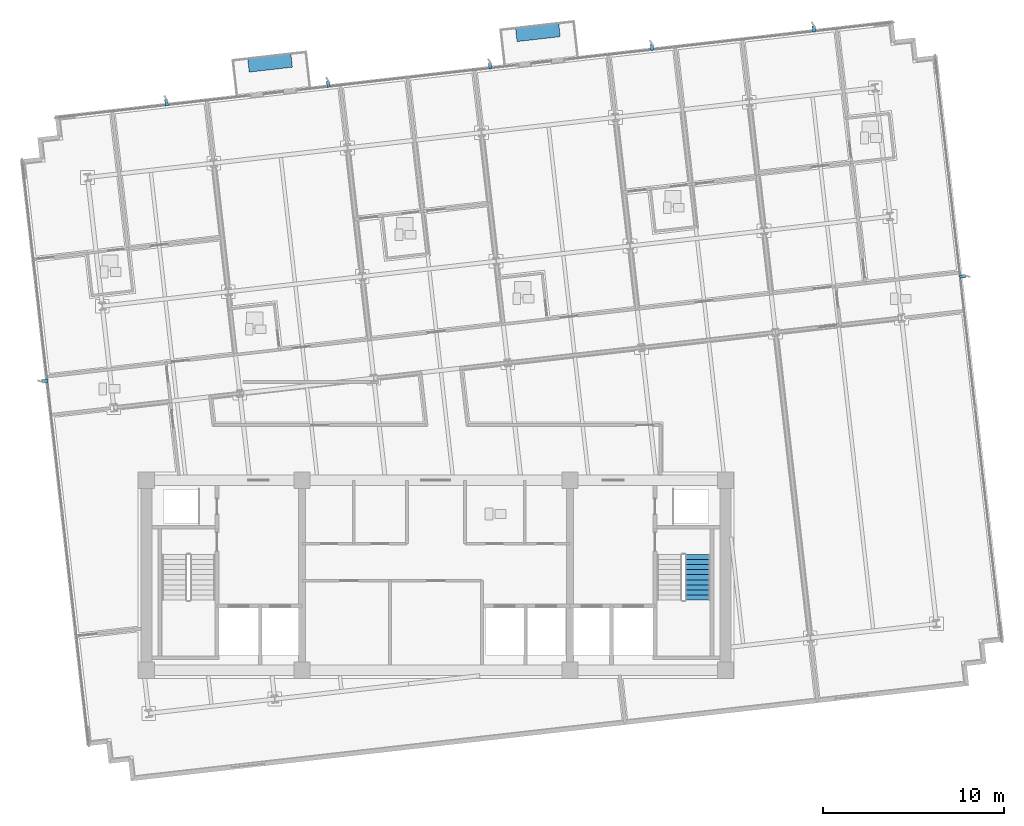
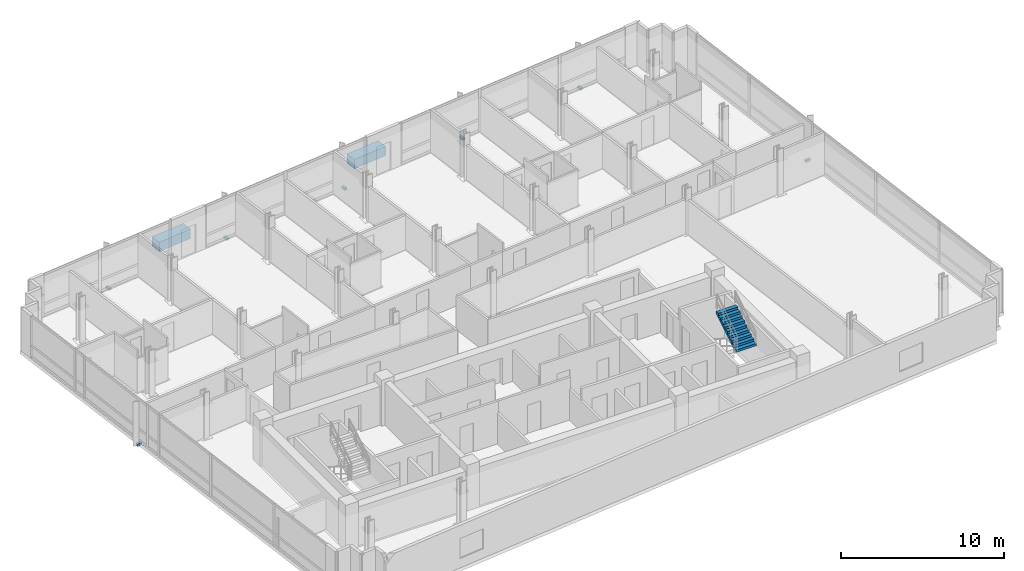
# One storey, part 12 of 17: 9 discrete accessories, 1 stair flight, 1 element without a shape of its own.
"""IFC4 building model written with IfcOpenShell, lengths in metres."""

import ifcopenshell
import ifcopenshell.guid

model = None  # the IFC model being written
_history = None  # IfcOwnerHistory: only IFC2X3 demands one
_inside = {}  # id of a spatial element -> (the spatial element, [elements in it])
_under = {}  # id of a project, library or spatial element -> (it, [spatial elements below it])
_declared = {}  # id of a project -> (the project, [libraries it declares])
_typed = {}  # id of a type object -> (the type object, [elements of that type])
_made_of = {}  # id of a material, layer set ... -> (it, [elements and type objects made of it])


def new_model(schema):
    """Start an empty IFC model of exactly this schema.

    Asked for "IFC4X3", IfcOpenShell would pick the latest addendum, in which some entities
    have other attributes; the version numbers below select the first issue.
    IFC2X3 requires an IfcOwnerHistory on every rooted entity: one is made here for all.
    """
    global model, _history
    if schema == "IFC4X3":
        model = ifcopenshell.file(schema_version=(4, 3, 0, 0))
    else:
        model = ifcopenshell.file(schema=schema)
    _inside.clear()
    _under.clear()
    _declared.clear()
    _typed.clear()
    _made_of.clear()
    _history = None
    if model.schema == "IFC2X3":
        org = make("IfcOrganization", Name="unknown")
        user = make(
            "IfcPersonAndOrganization",
            ThePerson=make("IfcPerson", FamilyName="unknown"),
            TheOrganization=org,
        )
        app = make(
            "IfcApplication",
            ApplicationDeveloper=org,
            Version="unknown",
            ApplicationFullName="unknown",
            ApplicationIdentifier="unknown",
        )
        _history = make(
            "IfcOwnerHistory",
            OwningUser=user,
            OwningApplication=app,
            ChangeAction="ADDED",
            CreationDate=0,
        )
    return model


def make(cls, **values):
    """One entity of the class cls with the attributes given. An attribute that is None is left unset."""
    return model.create_entity(
        cls, **{name: value for name, value in values.items() if value is not None}
    )


def rooted(cls, **values):
    """An entity with a GlobalId (a new one), such as an element, a storey or a relation."""
    return make(cls, GlobalId=ifcopenshell.guid.new(), OwnerHistory=_history, **values)


def si_unit(unit_type, name, prefix=None):
    """IfcSIUnit, for example si_unit("LENGTHUNIT", "METRE", prefix="MILLI")."""
    return make("IfcSIUnit", UnitType=unit_type, Prefix=prefix, Name=name)


def assignment(units):
    """IfcUnitAssignment: the units of a project."""
    return None if units is None else make("IfcUnitAssignment", Units=units)


def point(xyz):
    """IfcCartesianPoint."""
    return None if xyz is None else make("IfcCartesianPoint", Coordinates=xyz)


def direction(xyz):
    """IfcDirection."""
    return None if xyz is None else make("IfcDirection", DirectionRatios=xyz)


def frame(location, z_axis=None, x_axis=None):
    """IfcAxis2Placement3D, a coordinate frame: its origin and axes. An axis left out is left unset."""
    return make(
        "IfcAxis2Placement3D",
        Location=point(location),
        Axis=direction(z_axis),
        RefDirection=direction(x_axis),
    )


def frame_2d(location, x_axis=None):
    """IfcAxis2Placement2D, a coordinate frame in the plane: its origin and x axis."""
    return make(
        "IfcAxis2Placement2D", Location=point(location), RefDirection=direction(x_axis)
    )


def origin():
    """The frame at (0, 0, 0) with its axes left unset."""
    return frame((0.0, 0.0, 0.0))


def origin_2d():
    """The frame at (0, 0) in the plane with its x axis left unset."""
    return frame_2d((0.0, 0.0))


def place(relative_to, where):
    """IfcLocalPlacement: puts the frame where relative to a parent placement (None: the world)."""
    return make(
        "IfcLocalPlacement", PlacementRelTo=relative_to, RelativePlacement=where
    )


def context(
    kind, dimensions, precision=None, world=None, true_north=None, identifier=None
):
    """IfcGeometricRepresentationContext, for example the 3D "Model" context."""
    return make(
        "IfcGeometricRepresentationContext",
        ContextIdentifier=identifier,
        ContextType=kind,
        CoordinateSpaceDimension=dimensions,
        Precision=precision,
        WorldCoordinateSystem=world,
        TrueNorth=true_north,
    )


def subcontext(parent, identifier, kind, view, scale=None):
    """IfcGeometricRepresentationSubContext, for example "Body" below "Model"."""
    return make(
        "IfcGeometricRepresentationSubContext",
        ContextIdentifier=identifier,
        ContextType=kind,
        ParentContext=parent,
        TargetScale=scale,
        TargetView=view,
    )


def project(units=None, contexts=None):
    """IfcProject with its units and contexts."""
    return rooted(
        "IfcProject",
        Name="project",
        RepresentationContexts=contexts,
        UnitsInContext=assignment(units),
    )


def spatial(cls, under=None, at=None, **own):
    """A site, building, storey or space (cls), placed at a placement, below another one or the project."""
    s = rooted(cls, ObjectPlacement=at, **own)
    if under is not None:
        _under.setdefault(under.id(), (under, []))[1].append(s)
    return s


def polyline(points):
    """IfcPolyline through the points."""
    return make("IfcPolyline", Points=[point(p) for p in points])


def profile(cls, at=None, kind="AREA", **sizes):
    """A parametric profile (cls). Its sizes go by their IFC names, for example OverallWidth=200.0."""
    return make(cls, ProfileType=kind, Position=at, **sizes)


def rectangle(**sizes):
    """IfcRectangleProfileDef."""
    return profile("IfcRectangleProfileDef", **sizes)


def outline(outer, holes=None, kind="AREA"):
    """IfcArbitraryClosedProfileDef: a profile drawn as a closed curve; with holes, ...WithVoids."""
    if holes is None:
        return make("IfcArbitraryClosedProfileDef", ProfileType=kind, OuterCurve=outer)
    return make(
        "IfcArbitraryProfileDefWithVoids",
        ProfileType=kind,
        OuterCurve=outer,
        InnerCurves=holes,
    )


def extrude(swept, where, along, depth):
    """IfcExtrudedAreaSolid: the profile swept, set in the frame where, extruded along a direction by depth."""
    return make(
        "IfcExtrudedAreaSolid",
        SweptArea=swept,
        Position=where,
        ExtrudedDirection=direction(along),
        Depth=depth,
    )


def shape(context_of_items, identifier, shape_type, items):
    """IfcShapeRepresentation: the items that make up one representation, for example the "Body"."""
    return make(
        "IfcShapeRepresentation",
        ContextOfItems=context_of_items,
        RepresentationIdentifier=identifier,
        RepresentationType=shape_type,
        Items=items,
    )


def material(Name=None, Category=None):
    """IfcMaterial."""
    return make("IfcMaterial", Name=Name, Category=Category)


def made_of(thing, what):
    """Note that an element or type object is made of a material, layer set ...; save() writes the relation."""
    if what is not None:
        _made_of.setdefault(what.id(), (what, []))[1].append(thing)
    return thing


def type_object(cls, material=None, **own):
    """A type object (cls), such as IfcWallType, which elements share."""
    return made_of(rooted(cls, **own), material)


def element(
    cls,
    number,
    at=None,
    inside=None,
    cuts=None,
    type_object=None,
    material=None,
    context=None,
    identifier="Body",
    shape_type=None,
    held_by="IfcProductDefinitionShape",
    body=None,
    shapes=None,
    **own,
):
    """One element of the class cls, such as IfcWall. Its Tag is "e" and its number.

    at: its placement. inside: the storey or other place that contains it. cuts: it is an
    opening in that element (IfcRelVoidsElement). A single representation is given by context,
    identifier, shape_type and body (its items); several are given by shapes. held_by: the class
    of the entity that holds the representations. save() writes the other relations.
    """
    e = rooted(cls, Tag="e%d" % number, ObjectPlacement=at, **own)
    if body is not None:
        shapes = [shape(context, identifier, shape_type, body)]
    if shapes is not None:
        e.Representation = make(held_by, Representations=shapes)
    if inside is not None:
        _inside.setdefault(inside.id(), (inside, []))[1].append(e)
    if cuts is not None:
        rooted(
            "IfcRelVoidsElement", RelatingBuildingElement=cuts, RelatedOpeningElement=e
        )
    if type_object is not None:
        _typed.setdefault(type_object.id(), (type_object, []))[1].append(e)
    return made_of(e, material)


def aggregate(whole, parts):
    """IfcRelAggregates: a whole, such as a stair, and the parts it consists of."""
    return rooted("IfcRelAggregates", RelatingObject=whole, RelatedObjects=parts)


def save(model, path):
    """Write the relations noted so far, then the file.

    IfcRelAggregates (storeys below a building ...), IfcRelContainedInSpatialStructure (elements
    in a storey), IfcRelDefinesByType, IfcRelAssociatesMaterial and IfcRelDeclares: one each for
    every whole, place, type object, material and project.
    """
    for whole, parts in _under.values():
        aggregate(whole, parts)
    for where, things in _inside.values():
        rooted(
            "IfcRelContainedInSpatialStructure",
            RelatedElements=things,
            RelatingStructure=where,
        )
    for kind, things in _typed.values():
        rooted("IfcRelDefinesByType", RelatedObjects=things, RelatingType=kind)
    for what, things in _made_of.values():
        rooted("IfcRelAssociatesMaterial", RelatedObjects=things, RelatingMaterial=what)
    for by, libraries in _declared.values():
        rooted("IfcRelDeclares", RelatingContext=by, RelatedDefinitions=libraries)
    model.write(path)


model = new_model("IFC4")

# Units and contexts
model_context = context("Model", 3, precision=1e-05, world=origin(), true_north=direction((0.0, 1.0)))
body_context = subcontext(model_context, "Body", "Model", "MODEL_VIEW")
ifc_project = project(units=[si_unit("LENGTHUNIT", "METRE"), si_unit("AREAUNIT", "SQUARE_METRE"), si_unit("VOLUMEUNIT", "CUBIC_METRE"), si_unit("PLANEANGLEUNIT", "RADIAN"), si_unit("MASSUNIT", "GRAM", prefix="KILO")], contexts=[model_context])

# Site, building, storey
site_placement = place(None, origin())
site = spatial("IfcSite", under=ifc_project, at=site_placement, CompositionType="ELEMENT")
building_placement = place(site_placement, origin())
building = spatial("IfcBuilding", under=site, at=building_placement, Name="Solmavex Isthmus Hotel", CompositionType="ELEMENT")
storey_placement = place(building_placement, frame((0.0, 0.0, 198.60009765625)))
storey = spatial("IfcBuildingStorey", under=building, at=storey_placement, Name="L53", CompositionType="ELEMENT", Elevation=198.60009765625)

# Stair, stair flight
ifc_material_1 = material(Name="Concrete C40/50", Category="concrete")
stair_type = type_object("IfcStairType", Name="STR-ST-2", PredefinedType="HALF_TURN_STAIR", material=ifc_material_1)
stair_placement = place(storey_placement, origin())
stair = element("IfcStair", 1, at=stair_placement, inside=storey, type_object=stair_type, Name="L53 Protected Exit Stair ST-2", PredefinedType="HALF_TURN_STAIR")
stair_flight_type = type_object("IfcStairFlightType", Name="SFL-ST-2", PredefinedType="STRAIGHT", material=ifc_material_1)
stair_flight_placement = place(storey_placement, frame((14.449951171875, -9.1201171875, 1.724853515625), z_axis=(0.0, 0.0, 1.0), x_axis=(0.0, 1.0, 0.0)))
stair_flight = element("IfcStairFlight", 2, at=stair_flight_placement, type_object=stair_flight_type, Name="ST-2 flight 2", NumberOfRisers=10, NumberOfTreads=9, PredefinedType="STRAIGHT", RiserHeight=0.1725, TreadLength=0.28, context=body_context, shape_type="SweptSolid", body=[
    extrude(outline(polyline([(0.0, 0.0), (0.0, 0.172607421875), (0.280029296875, 0.172607421875), (0.280029296875, 0.344970703125), (0.56005859375, 0.344970703125), (0.56005859375, 0.517578125), (0.840087890625, 0.517578125), (0.840087890625, 0.68994140625), (1.1201171875, 0.68994140625), (1.1201171875, 0.862548828125), (1.39990234375, 0.862548828125), (1.39990234375, 1.034912109375), (1.679931640625, 1.034912109375), (1.679931640625, 1.20751953125), (1.9599609375, 1.20751953125), (1.9599609375, 1.3798828125), (2.239990234375, 1.3798828125), (2.239990234375, 1.552490234375), (2.52001953125, 1.552490234375), (2.52001953125, 1.72509765625), (2.52001953125, 1.37646484375), (0.285888671875, 0.0), (0.0, 0.0)])), frame((0.0, 0.699951171875, 0.0), z_axis=(0.0, -1.0, 0.0), x_axis=(1.0, 0.0, 0.0)), (0.0, 0.0, 1.0), 1.39990234375),
])
aggregate(stair, [stair_flight])

# Discrete accessories
ifc_material_2 = material(Name="Steel ASTM A572 Grade 50", Category="steel")
discrete_accessory_type_1 = type_object("IfcDiscreteAccessoryType", Name="ACC-BRK-FIN", PredefinedType="BRACKET", material=ifc_material_2)
for number, where, z_axis, x_axis, name in (
    (3, (-14.88671875, 18.365234375, -0.169921875), (0.0, 0.0, 1.0), (-0.113203213768, 0.993571855677, 0.0), "Facade Fin Support Bracket L53-N1"),
    (4, (-5.944580078125, 19.384033203125, -0.169921875), (0.0, 0.0, 1.0), (-0.113203213768, 0.993571855677, 0.0), "Facade Fin Support Bracket L53-N2"),
    (5, (2.997802734375, 20.40283203125, -0.169921875), (0.0, 0.0, 1.0), (-0.113203213768, 0.993571855677, 0.0), "Facade Fin Support Bracket L53-N3"),
    (6, (11.93994140625, 21.421630859375, -0.169921875), (0.0, 0.0, 1.0), (-0.113203213768, 0.993571855677, 0.0), "Facade Fin Support Bracket L53-N4"),
    (7, (20.882080078125, 22.4404296875, -0.169921875), (0.0, 0.0, 1.0), (-0.113203213768, 0.993571855677, 0.0), "Facade Fin Support Bracket L53-N5"),
    (8, (-21.60888671875, 2.9853515625, -0.169921875), (0.0, 0.0, 1.0), (-0.993571855677, -0.113203213768, 0.0), "Facade Fin Support Bracket L53-W1"),
    (9, (29.10302734375, 8.76318359375, -0.169921875), (0.0, 0.0, 1.0), (0.993571855677, 0.113203213768, 0.0), "Facade Fin Support Bracket L53-E1"),
):
    element("IfcDiscreteAccessory", number, at=place(storey_placement, frame(where, z_axis=z_axis, x_axis=x_axis)), inside=storey, type_object=discrete_accessory_type_1, Name=name, PredefinedType="BRACKET", context=body_context, shape_type="SweptSolid", body=[
        extrude(rectangle(XDim=0.340087890625, YDim=0.179931640625, at=origin_2d()), origin(), (0.0, 0.0, 1.0), 0.159912109375),
    ])
ifc_material_3 = material(Name="Precast Concrete C40/50", Category="concrete")
discrete_accessory_type_2 = type_object("IfcDiscreteAccessoryType", Name="ACC-PLN-BALC", PredefinedType="USERDEFINED", material=ifc_material_3)
for number, where, z_axis, x_axis, name in (
    (10, (-9.1669921875, 20.556640625, 0.0), (0.0, 0.0, 1.0), (0.993571855677, 0.113203213768, 0.0), "Tree-Balcony Architectural Planter L53-B1"),
    (11, (5.62939453125, 22.24267578125, 0.0), (0.0, 0.0, 1.0), (0.993571855677, 0.113203213768, 0.0), "Tree-Balcony Architectural Planter L53-B2"),
):
    element("IfcDiscreteAccessory", number, at=place(storey_placement, frame(where, z_axis=z_axis, x_axis=x_axis)), inside=storey, type_object=discrete_accessory_type_2, Name=name, ObjectType="PLANTER", PredefinedType="USERDEFINED", context=body_context, shape_type="SweptSolid", body=[
        extrude(rectangle(XDim=2.39990234375, YDim=0.75, at=origin_2d()), origin(), (0.0, 0.0, 1.0), 0.699951171875),
    ])

save(model, "model.ifc")
